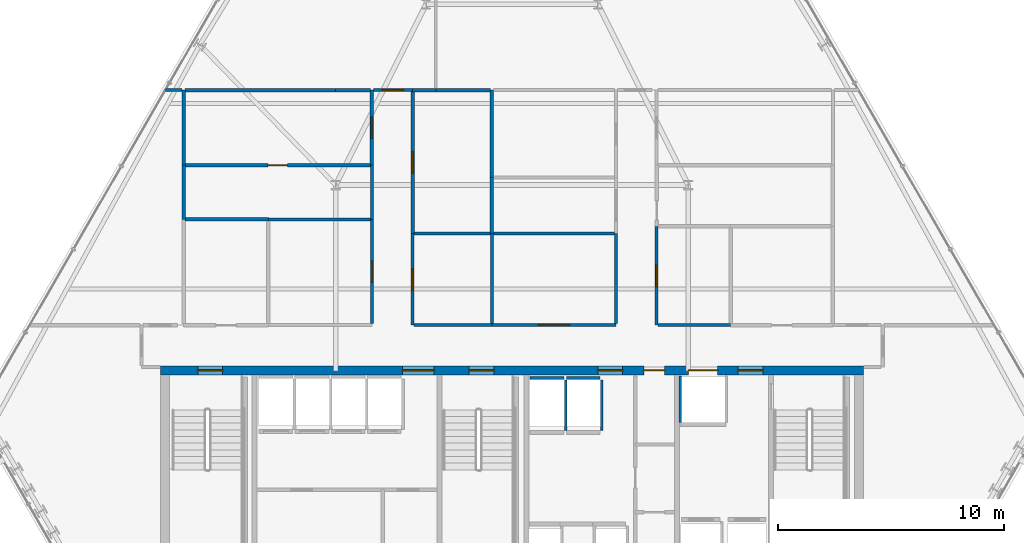
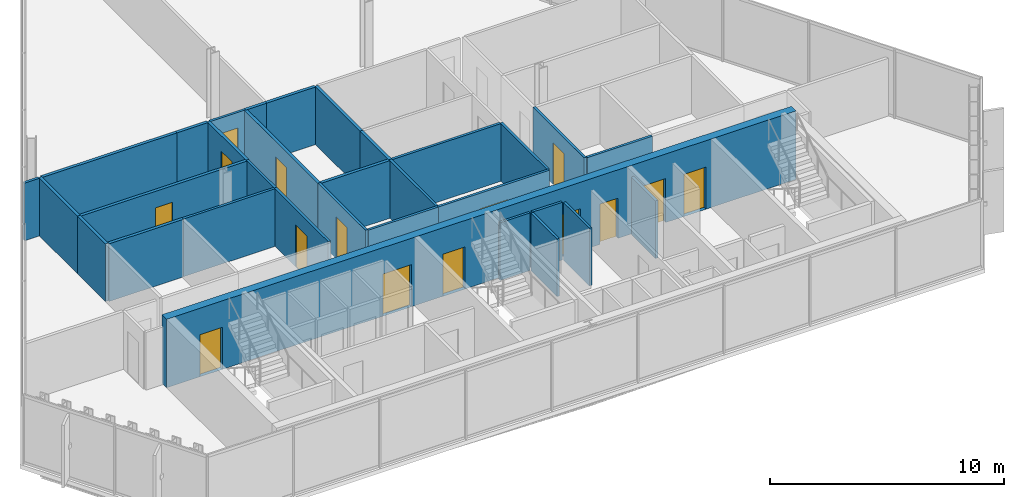
# One storey, part 28 of 34: 32 walls, 15 doors, 15 openings.
"""IFC4 building model written with IfcOpenShell, lengths in metres."""

import ifcopenshell
import ifcopenshell.guid

model = None  # the IFC model being written
_history = None  # IfcOwnerHistory: only IFC2X3 demands one
_inside = {}  # id of a spatial element -> (the spatial element, [elements in it])
_under = {}  # id of a project, library or spatial element -> (it, [spatial elements below it])
_declared = {}  # id of a project -> (the project, [libraries it declares])
_typed = {}  # id of a type object -> (the type object, [elements of that type])
_made_of = {}  # id of a material, layer set ... -> (it, [elements and type objects made of it])


def new_model(schema):
    """Start an empty IFC model of exactly this schema.

    Asked for "IFC4X3", IfcOpenShell would pick the latest addendum, in which some entities
    have other attributes; the version numbers below select the first issue.
    IFC2X3 requires an IfcOwnerHistory on every rooted entity: one is made here for all.
    """
    global model, _history
    if schema == "IFC4X3":
        model = ifcopenshell.file(schema_version=(4, 3, 0, 0))
    else:
        model = ifcopenshell.file(schema=schema)
    _inside.clear()
    _under.clear()
    _declared.clear()
    _typed.clear()
    _made_of.clear()
    _history = None
    if model.schema == "IFC2X3":
        org = make("IfcOrganization", Name="unknown")
        user = make(
            "IfcPersonAndOrganization",
            ThePerson=make("IfcPerson", FamilyName="unknown"),
            TheOrganization=org,
        )
        app = make(
            "IfcApplication",
            ApplicationDeveloper=org,
            Version="unknown",
            ApplicationFullName="unknown",
            ApplicationIdentifier="unknown",
        )
        _history = make(
            "IfcOwnerHistory",
            OwningUser=user,
            OwningApplication=app,
            ChangeAction="ADDED",
            CreationDate=0,
        )
    return model


def make(cls, **values):
    """One entity of the class cls with the attributes given. An attribute that is None is left unset."""
    return model.create_entity(
        cls, **{name: value for name, value in values.items() if value is not None}
    )


def rooted(cls, **values):
    """An entity with a GlobalId (a new one), such as an element, a storey or a relation."""
    return make(cls, GlobalId=ifcopenshell.guid.new(), OwnerHistory=_history, **values)


def si_unit(unit_type, name, prefix=None):
    """IfcSIUnit, for example si_unit("LENGTHUNIT", "METRE", prefix="MILLI")."""
    return make("IfcSIUnit", UnitType=unit_type, Prefix=prefix, Name=name)


def assignment(units):
    """IfcUnitAssignment: the units of a project."""
    return None if units is None else make("IfcUnitAssignment", Units=units)


def point(xyz):
    """IfcCartesianPoint."""
    return None if xyz is None else make("IfcCartesianPoint", Coordinates=xyz)


def direction(xyz):
    """IfcDirection."""
    return None if xyz is None else make("IfcDirection", DirectionRatios=xyz)


def frame(location, z_axis=None, x_axis=None):
    """IfcAxis2Placement3D, a coordinate frame: its origin and axes. An axis left out is left unset."""
    return make(
        "IfcAxis2Placement3D",
        Location=point(location),
        Axis=direction(z_axis),
        RefDirection=direction(x_axis),
    )


def frame_2d(location, x_axis=None):
    """IfcAxis2Placement2D, a coordinate frame in the plane: its origin and x axis."""
    return make(
        "IfcAxis2Placement2D", Location=point(location), RefDirection=direction(x_axis)
    )


def origin():
    """The frame at (0, 0, 0) with its axes left unset."""
    return frame((0.0, 0.0, 0.0))


def place(relative_to, where):
    """IfcLocalPlacement: puts the frame where relative to a parent placement (None: the world)."""
    return make(
        "IfcLocalPlacement", PlacementRelTo=relative_to, RelativePlacement=where
    )


def context(
    kind, dimensions, precision=None, world=None, true_north=None, identifier=None
):
    """IfcGeometricRepresentationContext, for example the 3D "Model" context."""
    return make(
        "IfcGeometricRepresentationContext",
        ContextIdentifier=identifier,
        ContextType=kind,
        CoordinateSpaceDimension=dimensions,
        Precision=precision,
        WorldCoordinateSystem=world,
        TrueNorth=true_north,
    )


def subcontext(parent, identifier, kind, view, scale=None):
    """IfcGeometricRepresentationSubContext, for example "Body" below "Model"."""
    return make(
        "IfcGeometricRepresentationSubContext",
        ContextIdentifier=identifier,
        ContextType=kind,
        ParentContext=parent,
        TargetScale=scale,
        TargetView=view,
    )


def project(units=None, contexts=None):
    """IfcProject with its units and contexts."""
    return rooted(
        "IfcProject",
        Name="project",
        RepresentationContexts=contexts,
        UnitsInContext=assignment(units),
    )


def spatial(cls, under=None, at=None, **own):
    """A site, building, storey or space (cls), placed at a placement, below another one or the project."""
    s = rooted(cls, ObjectPlacement=at, **own)
    if under is not None:
        _under.setdefault(under.id(), (under, []))[1].append(s)
    return s


def profile(cls, at=None, kind="AREA", **sizes):
    """A parametric profile (cls). Its sizes go by their IFC names, for example OverallWidth=200.0."""
    return make(cls, ProfileType=kind, Position=at, **sizes)


def rectangle(**sizes):
    """IfcRectangleProfileDef."""
    return profile("IfcRectangleProfileDef", **sizes)


def extrude(swept, where, along, depth):
    """IfcExtrudedAreaSolid: the profile swept, set in the frame where, extruded along a direction by depth."""
    return make(
        "IfcExtrudedAreaSolid",
        SweptArea=swept,
        Position=where,
        ExtrudedDirection=direction(along),
        Depth=depth,
    )


def shape(context_of_items, identifier, shape_type, items):
    """IfcShapeRepresentation: the items that make up one representation, for example the "Body"."""
    return make(
        "IfcShapeRepresentation",
        ContextOfItems=context_of_items,
        RepresentationIdentifier=identifier,
        RepresentationType=shape_type,
        Items=items,
    )


def material(Name=None, Category=None):
    """IfcMaterial."""
    return make("IfcMaterial", Name=Name, Category=Category)


def layer(
    of_material, thickness, ventilated=None, Name=None, Category=None, Priority=None
):
    """IfcMaterialLayer: one layer of a wall or slab, of a material (None: an air gap)."""
    return make(
        "IfcMaterialLayer",
        Material=of_material,
        LayerThickness=thickness,
        IsVentilated=ventilated,
        Name=Name,
        Category=Category,
        Priority=Priority,
    )


def layer_set(layers, Name=None):
    """IfcMaterialLayerSet."""
    return make("IfcMaterialLayerSet", MaterialLayers=layers, LayerSetName=Name)


def made_of(thing, what):
    """Note that an element or type object is made of a material, layer set ...; save() writes the relation."""
    if what is not None:
        _made_of.setdefault(what.id(), (what, []))[1].append(thing)
    return thing


def type_object(cls, material=None, **own):
    """A type object (cls), such as IfcWallType, which elements share."""
    return made_of(rooted(cls, **own), material)


def element(
    cls,
    number,
    at=None,
    inside=None,
    cuts=None,
    type_object=None,
    material=None,
    context=None,
    identifier="Body",
    shape_type=None,
    held_by="IfcProductDefinitionShape",
    body=None,
    shapes=None,
    **own,
):
    """One element of the class cls, such as IfcWall. Its Tag is "e" and its number.

    at: its placement. inside: the storey or other place that contains it. cuts: it is an
    opening in that element (IfcRelVoidsElement). A single representation is given by context,
    identifier, shape_type and body (its items); several are given by shapes. held_by: the class
    of the entity that holds the representations. save() writes the other relations.
    """
    e = rooted(cls, Tag="e%d" % number, ObjectPlacement=at, **own)
    if body is not None:
        shapes = [shape(context, identifier, shape_type, body)]
    if shapes is not None:
        e.Representation = make(held_by, Representations=shapes)
    if inside is not None:
        _inside.setdefault(inside.id(), (inside, []))[1].append(e)
    if cuts is not None:
        rooted(
            "IfcRelVoidsElement", RelatingBuildingElement=cuts, RelatedOpeningElement=e
        )
    if type_object is not None:
        _typed.setdefault(type_object.id(), (type_object, []))[1].append(e)
    return made_of(e, material)


def fill(opening, filler):
    """IfcRelFillsElement: the door or window that sits in an opening."""
    return rooted(
        "IfcRelFillsElement",
        RelatingOpeningElement=opening,
        RelatedBuildingElement=filler,
    )


def aggregate(whole, parts):
    """IfcRelAggregates: a whole, such as a stair, and the parts it consists of."""
    return rooted("IfcRelAggregates", RelatingObject=whole, RelatedObjects=parts)


def save(model, path):
    """Write the relations noted so far, then the file.

    IfcRelAggregates (storeys below a building ...), IfcRelContainedInSpatialStructure (elements
    in a storey), IfcRelDefinesByType, IfcRelAssociatesMaterial and IfcRelDeclares: one each for
    every whole, place, type object, material and project.
    """
    for whole, parts in _under.values():
        aggregate(whole, parts)
    for where, things in _inside.values():
        rooted(
            "IfcRelContainedInSpatialStructure",
            RelatedElements=things,
            RelatingStructure=where,
        )
    for kind, things in _typed.values():
        rooted("IfcRelDefinesByType", RelatedObjects=things, RelatingType=kind)
    for what, things in _made_of.values():
        rooted("IfcRelAssociatesMaterial", RelatedObjects=things, RelatingMaterial=what)
    for by, libraries in _declared.values():
        rooted("IfcRelDeclares", RelatingContext=by, RelatedDefinitions=libraries)
    model.write(path)


model = new_model("IFC4")

# Units and contexts
model_context = context("Model", 3, precision=1e-05, world=origin(), true_north=direction((0.0, 1.0)))
body_context = subcontext(model_context, "Body", "Model", "MODEL_VIEW")
ifc_project = project(units=[si_unit("LENGTHUNIT", "METRE"), si_unit("AREAUNIT", "SQUARE_METRE"), si_unit("VOLUMEUNIT", "CUBIC_METRE"), si_unit("PLANEANGLEUNIT", "RADIAN"), si_unit("MASSUNIT", "GRAM", prefix="KILO")], contexts=[model_context])

# Site, building, storey
site_placement = place(None, origin())
site = spatial("IfcSite", under=ifc_project, at=site_placement, CompositionType="ELEMENT")
building_placement = place(site_placement, origin())
building = spatial("IfcBuilding", under=site, at=building_placement, Name="Ndaravel Arena Tower", CompositionType="ELEMENT")
storey_placement = place(building_placement, frame((0.0, 0.0, 195.39990234375)))
storey = spatial("IfcBuildingStorey", under=building, at=storey_placement, Name="L47", CompositionType="ELEMENT", Elevation=195.39990234375)

# Wall, openings, doors
ifc_material_1 = material(Name="Concrete C50/60", Category="concrete")
ifc_layer_1 = layer(ifc_material_1, 0.39990234375)
ifc_layer_set_1 = layer_set([ifc_layer_1], Name="Concrete C50/60")
wall_type_1 = type_object("IfcWallType", Name="WALL-CORE-400", PredefinedType="SOLIDWALL", material=ifc_layer_set_1)
wall_1_placement = place(storey_placement, frame((26.449951171875, 15.0, 0.0), z_axis=(0.0, 0.0, 1.0), x_axis=(1.0, 0.0, 0.0)))
wall_1 = element("IfcWall", 1, at=wall_1_placement, inside=storey, type_object=wall_type_1, Name="L47 Core North Shear Wall", PredefinedType="SOLIDWALL", context=body_context, shape_type="SweptSolid", body=[
    extrude(rectangle(XDim=31.10009765625, YDim=0.39990234375, at=frame_2d((15.550048828125, 0.0))), origin(), (0.0, 0.0, 1.0), 3.580078125),
])
opening_1_placement = place(wall_1_placement, frame((1.64990234375, 0.0, 0.0)))
opening_1 = element("IfcOpeningElement", 2, at=opening_1_placement, cuts=wall_1, Name="Opening FD-01", PredefinedType="OPENING", context=body_context, shape_type="SweptSolid", body=[
    extrude(rectangle(XDim=1.10009765625, YDim=2.199951171875, at=frame_2d((0.550048828125, 1.10009765625))), frame((0.0, 0.199951171875, 0.0), z_axis=(0.0, -1.0, 0.0), x_axis=(1.0, 0.0, 0.0)), (0.0, 0.0, 1.0), 0.39990234375),
])
opening_2_placement = place(wall_1_placement, frame((13.64990234375, 0.0, 0.0)))
opening_2 = element("IfcOpeningElement", 3, at=opening_2_placement, cuts=wall_1, Name="Opening FD-01", PredefinedType="OPENING", context=body_context, shape_type="SweptSolid", body=[
    extrude(rectangle(XDim=1.10009765625, YDim=2.199951171875, at=frame_2d((0.550048828125, 1.10009765625))), frame((0.0, 0.199951171875, 0.0), z_axis=(0.0, -1.0, 0.0), x_axis=(1.0, 0.0, 0.0)), (0.0, 0.0, 1.0), 0.39990234375),
])
opening_3_placement = place(wall_1_placement, frame((25.550048828125, 0.0, 0.0)))
opening_3 = element("IfcOpeningElement", 4, at=opening_3_placement, cuts=wall_1, Name="Opening FD-01", PredefinedType="OPENING", context=body_context, shape_type="SweptSolid", body=[
    extrude(rectangle(XDim=1.10009765625, YDim=2.199951171875, at=frame_2d((0.550048828125, 1.10009765625))), frame((0.0, 0.199951171875, 0.0), z_axis=(0.0, -1.0, 0.0), x_axis=(1.0, 0.0, 0.0)), (0.0, 0.0, 1.0), 0.39990234375),
])
opening_4_placement = place(wall_1_placement, frame((10.699951171875, 0.0, 0.0)))
opening_4 = element("IfcOpeningElement", 5, at=opening_4_placement, cuts=wall_1, Name="Opening ID-02", PredefinedType="OPENING", context=body_context, shape_type="SweptSolid", body=[
    extrude(rectangle(XDim=1.39990234375, YDim=2.199951171875, at=frame_2d((0.699951171875, 1.10009765625))), frame((0.0, 0.199951171875, 0.0), z_axis=(0.0, -1.0, 0.0), x_axis=(1.0, 0.0, 0.0)), (0.0, 0.0, 1.0), 0.39990234375),
])
opening_5_placement = place(wall_1_placement, frame((19.35009765625, 0.0, 0.0)))
opening_5 = element("IfcOpeningElement", 6, at=opening_5_placement, cuts=wall_1, Name="Opening FD-01", PredefinedType="OPENING", context=body_context, shape_type="SweptSolid", body=[
    extrude(rectangle(XDim=1.10009765625, YDim=2.199951171875, at=frame_2d((0.550048828125, 1.10009765625))), frame((0.0, 0.199951171875, 0.0), z_axis=(0.0, -1.0, 0.0), x_axis=(1.0, 0.0, 0.0)), (0.0, 0.0, 1.0), 0.39990234375),
])
opening_6_placement = place(wall_1_placement, frame((21.39990234375, 0.0, 0.0)))
opening_6 = element("IfcOpeningElement", 7, at=opening_6_placement, cuts=wall_1, Name="Opening RD-01", PredefinedType="OPENING", context=body_context, shape_type="SweptSolid", body=[
    extrude(rectangle(XDim=0.89990234375, YDim=2.10009765625, at=frame_2d((0.449951171875, 1.050048828125))), frame((0.0, 0.199951171875, 0.0), z_axis=(0.0, -1.0, 0.0), x_axis=(1.0, 0.0, 0.0)), (0.0, 0.0, 1.0), 0.39990234375),
])
opening_7_placement = place(wall_1_placement, frame((23.35009765625, 0.0, 0.0)))
opening_7 = element("IfcOpeningElement", 8, at=opening_7_placement, cuts=wall_1, Name="Opening LD-02", PredefinedType="OPENING", context=body_context, shape_type="SweptSolid", body=[
    extrude(rectangle(XDim=1.300048828125, YDim=2.300048828125, at=frame_2d((0.64990234375, 1.14990234375))), frame((0.0, 0.199951171875, 0.0), z_axis=(0.0, -1.0, 0.0), x_axis=(1.0, 0.0, 0.0)), (0.0, 0.0, 1.0), 0.39990234375),
])
ifc_material_2 = material(Name="Steel S355", Category="steel")
door_type_1 = type_object("IfcDoorType", Name="DT-01-STAIR-1100", OperationType="SINGLE_SWING_LEFT", PredefinedType="DOOR", material=ifc_material_2)
door_1_placement = place(opening_1_placement, origin())
door_1 = element("IfcDoor", 9, at=door_1_placement, inside=storey, type_object=door_type_1, Name="L47 Exit Stair ST-1 Door", OperationType="SINGLE_SWING_RIGHT", OverallHeight=2.199951171875, OverallWidth=1.10009765625, PredefinedType="DOOR", context=body_context, shape_type="SweptSolid", body=[
    extrude(rectangle(XDim=1.10009765625, YDim=2.199951171875, at=frame_2d((0.550048828125, 1.10009765625))), frame((0.0, 0.02490234375, 0.0), z_axis=(0.0, -1.0, 0.0), x_axis=(1.0, 0.0, 0.0)), (0.0, 0.0, 1.0), 0.050048828125),
])
fill(opening_1, door_1)
door_2_placement = place(opening_2_placement, origin())
door_2 = element("IfcDoor", 10, at=door_2_placement, inside=storey, type_object=door_type_1, Name="L47 Exit Stair ST-2 Door", OperationType="SINGLE_SWING_LEFT", OverallHeight=2.199951171875, OverallWidth=1.10009765625, PredefinedType="DOOR", context=body_context, shape_type="SweptSolid", body=[
    extrude(rectangle(XDim=1.10009765625, YDim=2.199951171875, at=frame_2d((0.550048828125, 1.10009765625))), frame((0.0, 0.02490234375, 0.0), z_axis=(0.0, -1.0, 0.0), x_axis=(1.0, 0.0, 0.0)), (0.0, 0.0, 1.0), 0.050048828125),
])
fill(opening_2, door_2)
door_3_placement = place(opening_3_placement, origin())
door_3 = element("IfcDoor", 11, at=door_3_placement, inside=storey, type_object=door_type_1, Name="L47 Firefighting Lift Lobby Door", OperationType="SINGLE_SWING_RIGHT", OverallHeight=2.199951171875, OverallWidth=1.10009765625, PredefinedType="DOOR", context=body_context, shape_type="SweptSolid", body=[
    extrude(rectangle(XDim=1.10009765625, YDim=2.199951171875, at=frame_2d((0.550048828125, 1.10009765625))), frame((0.0, 0.02490234375, 0.0), z_axis=(0.0, -1.0, 0.0), x_axis=(1.0, 0.0, 0.0)), (0.0, 0.0, 1.0), 0.050048828125),
])
fill(opening_3, door_3)
door_4_placement = place(opening_5_placement, origin())
door_4 = element("IfcDoor", 12, at=door_4_placement, inside=storey, type_object=door_type_1, Name="L47 Express Lift Lobby Entry Door", OperationType="SINGLE_SWING_LEFT", OverallHeight=2.199951171875, OverallWidth=1.10009765625, PredefinedType="DOOR", context=body_context, shape_type="SweptSolid", body=[
    extrude(rectangle(XDim=1.10009765625, YDim=2.199951171875, at=frame_2d((0.550048828125, 1.10009765625))), frame((0.0, 0.02490234375, 0.0), z_axis=(0.0, -1.0, 0.0), x_axis=(1.0, 0.0, 0.0)), (0.0, 0.0, 1.0), 0.050048828125),
])
fill(opening_5, door_4)
ifc_material_3 = material(Name="Timber", Category="wood")
door_type_2 = type_object("IfcDoorType", Name="DT-04-SUITE-1400", OperationType="DOUBLE_DOOR_SINGLE_SWING", PredefinedType="DOOR", material=ifc_material_3)
door_5_placement = place(opening_4_placement, origin())
door_5 = element("IfcDoor", 13, at=door_5_placement, inside=storey, type_object=door_type_2, Name="L47 West Lift Lobby Entry Door", OperationType="DOUBLE_DOOR_SINGLE_SWING", OverallHeight=2.199951171875, OverallWidth=1.39990234375, PredefinedType="DOOR", context=body_context, shape_type="SweptSolid", body=[
    extrude(rectangle(XDim=1.39990234375, YDim=2.199951171875, at=frame_2d((0.699951171875, 1.10009765625))), frame((0.0, 0.02490234375, 0.0), z_axis=(0.0, -1.0, 0.0), x_axis=(1.0, 0.0, 0.0)), (0.0, 0.0, 1.0), 0.050048828125),
])
fill(opening_4, door_5)
ifc_material_4 = material(Name="Steel S355", Category="steel")
door_type_3 = type_object("IfcDoorType", Name="DT-07-SVLIFT-1300", OperationType="DOUBLE_DOOR_SLIDING", PredefinedType="DOOR", material=ifc_material_4)
door_6_placement = place(opening_7_placement, origin())
door_6 = element("IfcDoor", 14, at=door_6_placement, inside=storey, type_object=door_type_3, Name="L47 Lift SVL-1 Sliding Landing Door", OperationType="DOUBLE_DOOR_SLIDING", OverallHeight=2.300048828125, OverallWidth=1.300048828125, PredefinedType="DOOR", context=body_context, shape_type="SweptSolid", body=[
    extrude(rectangle(XDim=1.300048828125, YDim=2.300048828125, at=frame_2d((0.64990234375, 1.14990234375))), frame((0.0, 0.02490234375, 0.0), z_axis=(0.0, -1.0, 0.0), x_axis=(1.0, 0.0, 0.0)), (0.0, 0.0, 1.0), 0.050048828125),
])
fill(opening_7, door_6)
ifc_material_5 = material(Name="Steel S355", Category="steel")
door_type_4 = type_object("IfcDoorType", Name="DT-08-RISER-900", OperationType="SINGLE_SWING_LEFT", PredefinedType="DOOR", material=ifc_material_5)
door_7_placement = place(opening_6_placement, origin())
door_7 = element("IfcDoor", 15, at=door_7_placement, inside=storey, type_object=door_type_4, Name="L47 Core Service Riser North Door", OperationType="SINGLE_SWING_LEFT", OverallHeight=2.10009765625, OverallWidth=0.89990234375, PredefinedType="DOOR", context=body_context, shape_type="SweptSolid", body=[
    extrude(rectangle(XDim=0.89990234375, YDim=2.10009765625, at=frame_2d((0.449951171875, 1.050048828125))), frame((0.0, 0.02490234375, 0.0), z_axis=(0.0, -1.0, 0.0), x_axis=(1.0, 0.0, 0.0)), (0.0, 0.0, 1.0), 0.050048828125),
])
fill(opening_6, door_7)

# Wall, opening, door
ifc_material_6 = material(Name="Gypsum", Category="gypsum")
ifc_layer_2 = layer(ifc_material_6, 0.125)
ifc_layer_set_2 = layer_set([ifc_layer_2], Name="Gypsum")
wall_type_2 = type_object("IfcWallType", Name="WALL-PART-125", PredefinedType="PARTITIONING", material=ifc_layer_set_2)
wall_2_placement = place(storey_placement, frame((35.800048828125, 17.06494140625, 0.0), z_axis=(0.0, 0.0, 1.0), x_axis=(0.0, 1.0, 0.0)))
wall_2 = element("IfcWall", 16, at=wall_2_placement, inside=storey, type_object=wall_type_2, Name="L47 Interior Partition 008", PredefinedType="PARTITIONING", context=body_context, shape_type="SweptSolid", body=[
    extrude(rectangle(XDim=4.614990234375, YDim=0.125, at=frame_2d((2.3076171875, 0.0))), origin(), (0.0, 0.0, 1.0), 3.010498046875),
])
opening_8_placement = place(wall_2_placement, frame((1.83251953125, 0.0, 0.0)))
opening_8 = element("IfcOpeningElement", 17, at=opening_8_placement, cuts=wall_2, Name="Opening ID-01", PredefinedType="OPENING", context=body_context, shape_type="SweptSolid", body=[
    extrude(rectangle(XDim=0.949951171875, YDim=2.199951171875, at=frame_2d((0.47509765625, 1.10009765625))), frame((0.0, 0.0625, 0.0), z_axis=(0.0, -1.0, 0.0), x_axis=(1.0, 0.0, 0.0)), (0.0, 0.0, 1.0), 0.125),
])
ifc_material_7 = material(Name="Timber", Category="wood")
door_type_5 = type_object("IfcDoorType", Name="DT-03-OFFICE-950", OperationType="SINGLE_SWING_LEFT", PredefinedType="DOOR", material=ifc_material_7)
door_8_placement = place(opening_8_placement, origin())
door_8 = element("IfcDoor", 18, at=door_8_placement, inside=storey, type_object=door_type_5, Name="L47 Quiet Study Room 3 Door", OperationType="SINGLE_SWING_LEFT", OverallHeight=2.199951171875, OverallWidth=0.949951171875, PredefinedType="DOOR", context=body_context, shape_type="SweptSolid", body=[
    extrude(rectangle(XDim=0.949951171875, YDim=2.199951171875, at=frame_2d((0.47509765625, 1.10009765625))), frame((0.0, 0.02490234375, 0.0), z_axis=(0.0, -1.0, 0.0), x_axis=(1.0, 0.0, 0.0)), (0.0, 0.0, 1.0), 0.050048828125),
])
fill(opening_8, door_8)

# Wall
wall_3_placement = place(storey_placement, frame((35.800048828125, 21.679931640625, 0.0), z_axis=(0.0, 0.0, 1.0), x_axis=(0.0, 1.0, 0.0)))
element("IfcWall", 19, at=wall_3_placement, inside=storey, type_object=wall_type_2, Name="L47 Interior Partition 009", PredefinedType="PARTITIONING", context=body_context, shape_type="SweptSolid", body=[
    extrude(rectangle(XDim=2.402587890625, YDim=0.125, at=frame_2d((1.201171875, 0.0))), origin(), (0.0, 0.0, 1.0), 3.010498046875),
])

# Wall, opening, door
wall_4_placement = place(storey_placement, frame((35.864990234375, 27.39990234375, 0.0), z_axis=(0.0, 0.0, 1.0), x_axis=(1.0, 0.0, 0.0)))
wall_4 = element("IfcWall", 20, at=wall_4_placement, inside=storey, type_object=wall_type_2, Name="L47 Interior Partition 011", PredefinedType="PARTITIONING", context=body_context, shape_type="SweptSolid", body=[
    extrude(rectangle(XDim=1.735107421875, YDim=0.125, at=frame_2d((0.86767578125, 0.0))), origin(), (0.0, 0.0, 1.0), 3.010498046875),
])
opening_9_placement = place(wall_4_placement, frame((0.392578125, 0.0, 0.0)))
opening_9 = element("IfcOpeningElement", 21, at=opening_9_placement, cuts=wall_4, Name="Opening ID-01", PredefinedType="OPENING", context=body_context, shape_type="SweptSolid", body=[
    extrude(rectangle(XDim=0.949951171875, YDim=2.199951171875, at=frame_2d((0.47509765625, 1.10009765625))), frame((0.0, 0.0625, 0.0), z_axis=(0.0, -1.0, 0.0), x_axis=(1.0, 0.0, 0.0)), (0.0, 0.0, 1.0), 0.125),
])
door_9_placement = place(opening_9_placement, origin())
door_9 = element("IfcDoor", 22, at=door_9_placement, inside=storey, type_object=door_type_5, Name="L47 Barista Galley 7 Door", OperationType="SINGLE_SWING_LEFT", OverallHeight=2.199951171875, OverallWidth=0.949951171875, PredefinedType="DOOR", context=body_context, shape_type="SweptSolid", body=[
    extrude(rectangle(XDim=0.949951171875, YDim=2.199951171875, at=frame_2d((0.47509765625, 1.10009765625))), frame((0.0, 0.02490234375, 0.0), z_axis=(0.0, -1.0, 0.0), x_axis=(1.0, 0.0, 0.0)), (0.0, 0.0, 1.0), 0.050048828125),
])
fill(opening_9, door_9)

wall_5_placement = place(storey_placement, frame((37.60009765625, 21.055908203125, 0.0), z_axis=(0.0, 0.0, 1.0), x_axis=(0.0, -1.0, 0.0)))
wall_5 = element("IfcWall", 23, at=wall_5_placement, inside=storey, type_object=wall_type_2, Name="L47 Interior Partition 013", PredefinedType="PARTITIONING", context=body_context, shape_type="SweptSolid", body=[
    extrude(rectangle(XDim=4.055908203125, YDim=0.125, at=frame_2d((2.02783203125, 0.0))), origin(), (0.0, 0.0, 1.0), 3.010498046875),
])
opening_10_placement = place(wall_5_placement, frame((1.552978515625, 0.0, 0.0)))
opening_10 = element("IfcOpeningElement", 24, at=opening_10_placement, cuts=wall_5, Name="Opening ID-01", PredefinedType="OPENING", context=body_context, shape_type="SweptSolid", body=[
    extrude(rectangle(XDim=0.949951171875, YDim=2.199951171875, at=frame_2d((0.47509765625, 1.10009765625))), frame((0.0, 0.0625, 0.0), z_axis=(0.0, -1.0, 0.0), x_axis=(1.0, 0.0, 0.0)), (0.0, 0.0, 1.0), 0.125),
])
door_10_placement = place(opening_10_placement, origin())
door_10 = element("IfcDoor", 25, at=door_10_placement, inside=storey, type_object=door_type_5, Name="L47 Design Bookshop Boutique Door", OperationType="SINGLE_SWING_RIGHT", OverallHeight=2.199951171875, OverallWidth=0.949951171875, PredefinedType="DOOR", context=body_context, shape_type="SweptSolid", body=[
    extrude(rectangle(XDim=0.949951171875, YDim=2.199951171875, at=frame_2d((0.47509765625, 1.10009765625))), frame((0.0, 0.02490234375, 0.0), z_axis=(0.0, -1.0, 0.0), x_axis=(1.0, 0.0, 0.0)), (0.0, 0.0, 1.0), 0.050048828125),
])
fill(opening_10, door_10)

# Wall
wall_6_placement = place(storey_placement, frame((37.6650390625, 17.0, 0.0), z_axis=(0.0, 0.0, 1.0), x_axis=(1.0, 0.0, 0.0)))
element("IfcWall", 26, at=wall_6_placement, inside=storey, type_object=wall_type_2, Name="L47 Interior Partition 014", PredefinedType="PARTITIONING", context=body_context, shape_type="SweptSolid", body=[
    extrude(rectangle(XDim=3.445068359375, YDim=0.125, at=frame_2d((1.72265625, 0.0))), origin(), (0.0, 0.0, 1.0), 3.010498046875),
])

# Wall, opening, door
wall_7_placement = place(storey_placement, frame((41.110107421875, 17.0, 0.0), z_axis=(0.0, 0.0, 1.0), x_axis=(1.0, 0.0, 0.0)))
wall_7 = element("IfcWall", 27, at=wall_7_placement, inside=storey, type_object=wall_type_2, Name="L47 Interior Partition 015", PredefinedType="PARTITIONING", context=body_context, shape_type="SweptSolid", body=[
    extrude(rectangle(XDim=5.489990234375, YDim=0.125, at=frame_2d((2.7451171875, 0.0))), origin(), (0.0, 0.0, 1.0), 3.010498046875),
])
opening_11_placement = place(wall_7_placement, frame((2.044921875, 0.0, 0.0)))
opening_11 = element("IfcOpeningElement", 28, at=opening_11_placement, cuts=wall_7, Name="Opening ID-02", PredefinedType="OPENING", context=body_context, shape_type="SweptSolid", body=[
    extrude(rectangle(XDim=1.39990234375, YDim=2.199951171875, at=frame_2d((0.699951171875, 1.10009765625))), frame((0.0, 0.0625, 0.0), z_axis=(0.0, -1.0, 0.0), x_axis=(1.0, 0.0, 0.0)), (0.0, 0.0, 1.0), 0.125),
])
door_11_placement = place(opening_11_placement, origin())
door_11 = element("IfcDoor", 29, at=door_11_placement, inside=storey, type_object=door_type_2, Name="L47 Executive Boardroom Door", OperationType="SINGLE_SWING_LEFT", OverallHeight=2.199951171875, OverallWidth=1.39990234375, PredefinedType="DOOR", context=body_context, shape_type="SweptSolid", body=[
    extrude(rectangle(XDim=1.39990234375, YDim=2.199951171875, at=frame_2d((0.699951171875, 1.10009765625))), frame((0.0, 0.02490234375, 0.0), z_axis=(0.0, -1.0, 0.0), x_axis=(1.0, 0.0, 0.0)), (0.0, 0.0, 1.0), 0.050048828125),
])
fill(opening_11, door_11)

# Wall
wall_8_placement = place(storey_placement, frame((46.60009765625, 17.06494140625, 0.0), z_axis=(0.0, 0.0, 1.0), x_axis=(0.0, 1.0, 0.0)))
element("IfcWall", 30, at=wall_8_placement, inside=storey, type_object=wall_type_2, Name="L47 Interior Partition 016", PredefinedType="PARTITIONING", context=body_context, shape_type="SweptSolid", body=[
    extrude(rectangle(XDim=3.990966796875, YDim=0.125, at=frame_2d((1.99560546875, 0.0))), origin(), (0.0, 0.0, 1.0), 3.010498046875),
])

# Wall, opening, door
wall_9_placement = place(storey_placement, frame((48.39990234375, 21.367919921875, 0.0), z_axis=(0.0, 0.0, 1.0), x_axis=(0.0, -1.0, 0.0)))
wall_9 = element("IfcWall", 31, at=wall_9_placement, inside=storey, type_object=wall_type_2, Name="L47 Interior Partition 022", PredefinedType="PARTITIONING", context=body_context, shape_type="SweptSolid", body=[
    extrude(rectangle(XDim=4.367919921875, YDim=0.125, at=frame_2d((2.18408203125, 0.0))), origin(), (0.0, 0.0, 1.0), 3.010498046875),
])
opening_12_placement = place(wall_9_placement, frame((1.708984375, 0.0, 0.0)))
opening_12 = element("IfcOpeningElement", 32, at=opening_12_placement, cuts=wall_9, Name="Opening ID-01", PredefinedType="OPENING", context=body_context, shape_type="SweptSolid", body=[
    extrude(rectangle(XDim=0.949951171875, YDim=2.199951171875, at=frame_2d((0.47509765625, 1.10009765625))), frame((0.0, 0.0625, 0.0), z_axis=(0.0, -1.0, 0.0), x_axis=(1.0, 0.0, 0.0)), (0.0, 0.0, 1.0), 0.125),
])
door_12_placement = place(opening_12_placement, origin())
door_12 = element("IfcDoor", 33, at=door_12_placement, inside=storey, type_object=door_type_5, Name="L47 Hospitality Sitting Room 2 Door", OperationType="SINGLE_SWING_RIGHT", OverallHeight=2.199951171875, OverallWidth=0.949951171875, PredefinedType="DOOR", context=body_context, shape_type="SweptSolid", body=[
    extrude(rectangle(XDim=0.949951171875, YDim=2.199951171875, at=frame_2d((0.47509765625, 1.10009765625))), frame((0.0, 0.02490234375, 0.0), z_axis=(0.0, -1.0, 0.0), x_axis=(1.0, 0.0, 0.0)), (0.0, 0.0, 1.0), 0.050048828125),
])
fill(opening_12, door_12)

# Walls
wall_10_placement = place(storey_placement, frame((48.465087890625, 17.0, 0.0), z_axis=(0.0, 0.0, 1.0), x_axis=(1.0, 0.0, 0.0)))
element("IfcWall", 34, at=wall_10_placement, inside=storey, type_object=wall_type_2, Name="L47 Interior Partition 023", PredefinedType="PARTITIONING", context=body_context, shape_type="SweptSolid", body=[
    extrude(rectangle(XDim=3.2109375, YDim=0.125, at=frame_2d((1.60546875, 0.0))), origin(), (0.0, 0.0, 1.0), 3.010498046875),
])
wall_11_placement = place(storey_placement, frame((41.110107421875, 21.055908203125, 0.0), z_axis=(0.0, 0.0, 1.0), x_axis=(0.0, -1.0, 0.0)))
element("IfcWall", 35, at=wall_11_placement, inside=storey, type_object=wall_type_2, Name="L47 Interior Partition 028", PredefinedType="PARTITIONING", context=body_context, shape_type="SweptSolid", body=[
    extrude(rectangle(XDim=3.990966796875, YDim=0.125, at=frame_2d((1.99560546875, 0.0))), origin(), (0.0, 0.0, 1.0), 3.010498046875),
])
wall_12_placement = place(storey_placement, frame((41.175048828125, 21.055908203125, 0.0), z_axis=(0.0, 0.0, 1.0), x_axis=(1.0, 0.0, 0.0)))
element("IfcWall", 36, at=wall_12_placement, inside=storey, type_object=wall_type_2, Name="L47 Interior Partition 030", PredefinedType="PARTITIONING", context=body_context, shape_type="SweptSolid", body=[
    extrude(rectangle(XDim=5.35986328125, YDim=0.125, at=frame_2d((2.679931640625, 0.0))), origin(), (0.0, 0.0, 1.0), 3.010498046875),
])
wall_13_placement = place(storey_placement, frame((31.220458984375, 21.679931640625, 0.0), z_axis=(0.0, 0.0, 1.0), x_axis=(1.0, 0.0, 0.0)))
element("IfcWall", 37, at=wall_13_placement, inside=storey, type_object=wall_type_2, Name="L47 Interior Partition 038", PredefinedType="PARTITIONING", context=body_context, shape_type="SweptSolid", body=[
    extrude(rectangle(XDim=4.5146484375, YDim=0.125, at=frame_2d((2.25732421875, 0.0))), origin(), (0.0, 0.0, 1.0), 3.010498046875),
])
wall_14_placement = place(storey_placement, frame((27.40869140625, 27.39990234375, 0.0), z_axis=(0.0, 0.0, 1.0), x_axis=(-1.0, 0.0, 0.0)))
element("IfcWall", 38, at=wall_14_placement, inside=storey, type_object=wall_type_2, Name="L47 Interior Partition 055", PredefinedType="PARTITIONING", context=body_context, shape_type="SweptSolid", body=[
    extrude(rectangle(XDim=0.7431640625, YDim=0.125, at=frame_2d((0.37158203125, 0.0))), origin(), (0.0, 0.0, 1.0), 3.010498046875),
])
ifc_material_8 = material(Name="Concrete C40/50", Category="concrete")
ifc_layer_3 = layer(ifc_material_8, 0.1201171875)
ifc_layer_set_3 = layer_set([ifc_layer_3], Name="Concrete C40/50")
wall_type_3 = type_object("IfcWallType", Name="WALL-SHAFT-120", PredefinedType="SOLIDWALL", material=ifc_layer_set_3)
wall_15_placement = place(storey_placement, frame((42.804931640625, 14.659912109375, 0.0), z_axis=(0.0, 0.0, 1.0), x_axis=(1.0, 0.0, 0.0)))
element("IfcWall", 39, at=wall_15_placement, inside=storey, type_object=wall_type_3, Name="L47 PL-OBS1 Shaft Rear Wall", PredefinedType="SOLIDWALL", context=body_context, shape_type="SweptSolid", body=[
    extrude(rectangle(XDim=1.489990234375, YDim=0.1201171875, at=frame_2d((0.7451171875, 0.0))), origin(), (0.0, 0.0, 1.0), 3.010498046875),
])
wall_16_placement = place(storey_placement, frame((44.375, 12.340087890625, 0.0), z_axis=(0.0, 0.0, 1.0), x_axis=(0.0, 1.0, 0.0)))
element("IfcWall", 40, at=wall_16_placement, inside=storey, type_object=wall_type_3, Name="L47 PL-OBS1 Shaft Side R Wall", PredefinedType="SOLIDWALL", context=body_context, shape_type="SweptSolid", body=[
    extrude(rectangle(XDim=2.22998046875, YDim=0.1201171875, at=frame_2d((1.114990234375, 0.0))), origin(), (0.0, 0.0, 1.0), 3.010498046875),
])
wall_17_placement = place(storey_placement, frame((44.405029296875, 14.659912109375, 0.0), z_axis=(0.0, 0.0, 1.0), x_axis=(1.0, 0.0, 0.0)))
element("IfcWall", 41, at=wall_17_placement, inside=storey, type_object=wall_type_3, Name="L47 PL-OBS2 Shaft Rear Wall", PredefinedType="SOLIDWALL", context=body_context, shape_type="SweptSolid", body=[
    extrude(rectangle(XDim=1.489990234375, YDim=0.1201171875, at=frame_2d((0.7451171875, 0.0))), origin(), (0.0, 0.0, 1.0), 3.010498046875),
])
wall_18_placement = place(storey_placement, frame((45.97509765625, 12.340087890625, 0.0), z_axis=(0.0, 0.0, 1.0), x_axis=(0.0, 1.0, 0.0)))
element("IfcWall", 42, at=wall_18_placement, inside=storey, type_object=wall_type_3, Name="L47 PL-OBS2 Shaft Side R Wall", PredefinedType="SOLIDWALL", context=body_context, shape_type="SweptSolid", body=[
    extrude(rectangle(XDim=2.22998046875, YDim=0.1201171875, at=frame_2d((1.114990234375, 0.0))), origin(), (0.0, 0.0, 1.0), 3.010498046875),
])
wall_19_placement = place(storey_placement, frame((49.43994140625, 12.68994140625, 0.0), z_axis=(0.0, 0.0, 1.0), x_axis=(0.0, 1.0, 0.0)))
element("IfcWall", 43, at=wall_19_placement, inside=storey, type_object=wall_type_3, Name="L47 SVL-1 Shaft W Wall", PredefinedType="SOLIDWALL", context=body_context, shape_type="SweptSolid", body=[
    extrude(rectangle(XDim=2.070068359375, YDim=0.1201171875, at=frame_2d((1.03515625, 0.0))), origin(), (0.0, 0.0, 1.0), 3.010498046875),
])

# Wall, opening, door
ifc_material_9 = material(Name="Masonry", Category="masonry")
ifc_layer_4 = layer(ifc_material_9, 0.14990234375)
ifc_layer_set_4 = layer_set([ifc_layer_4], Name="Masonry")
wall_type_4 = type_object("IfcWallType", Name="WALL-WET-150", PredefinedType="PARTITIONING", material=ifc_layer_set_4)
wall_20_placement = place(storey_placement, frame((35.800048828125, 24.08251953125, 0.0), z_axis=(0.0, 0.0, 1.0), x_axis=(0.0, 1.0, 0.0)))
wall_20 = element("IfcWall", 44, at=wall_20_placement, inside=storey, type_object=wall_type_4, Name="L47 Interior Partition 010", PredefinedType="PARTITIONING", context=body_context, shape_type="SweptSolid", body=[
    extrude(rectangle(XDim=3.3173828125, YDim=0.14990234375, at=frame_2d((1.65869140625, 0.0))), origin(), (0.0, 0.0, 1.0), 3.010498046875),
])
opening_13_placement = place(wall_20_placement, frame((1.183837890625, 0.0, 0.0)))
opening_13 = element("IfcOpeningElement", 45, at=opening_13_placement, cuts=wall_20, Name="Opening FD-03", PredefinedType="OPENING", context=body_context, shape_type="SweptSolid", body=[
    extrude(rectangle(XDim=0.949951171875, YDim=2.199951171875, at=frame_2d((0.47509765625, 1.10009765625))), frame((0.0, 0.074951171875, 0.0), z_axis=(0.0, -1.0, 0.0), x_axis=(1.0, 0.0, 0.0)), (0.0, 0.0, 1.0), 0.14990234375),
])
ifc_material_10 = material(Name="Steel S355", Category="steel")
door_type_6 = type_object("IfcDoorType", Name="DT-11-CORE-950", OperationType="SINGLE_SWING_LEFT", PredefinedType="DOOR", material=ifc_material_10)
door_13_placement = place(opening_13_placement, origin())
door_13 = element("IfcDoor", 46, at=door_13_placement, inside=storey, type_object=door_type_6, Name="L47 Catering Pantry 6 Door", OperationType="SINGLE_SWING_LEFT", OverallHeight=2.199951171875, OverallWidth=0.949951171875, PredefinedType="DOOR", context=body_context, shape_type="SweptSolid", body=[
    extrude(rectangle(XDim=0.949951171875, YDim=2.199951171875, at=frame_2d((0.47509765625, 1.10009765625))), frame((0.0, 0.02490234375, 0.0), z_axis=(0.0, -1.0, 0.0), x_axis=(1.0, 0.0, 0.0)), (0.0, 0.0, 1.0), 0.050048828125),
])
fill(opening_13, door_13)

wall_21_placement = place(storey_placement, frame((37.60009765625, 27.3349609375, 0.0), z_axis=(0.0, 0.0, 1.0), x_axis=(0.0, -1.0, 0.0)))
wall_21 = element("IfcWall", 47, at=wall_21_placement, inside=storey, type_object=wall_type_4, Name="L47 Interior Partition 012", PredefinedType="PARTITIONING", context=body_context, shape_type="SweptSolid", body=[
    extrude(rectangle(XDim=6.279052734375, YDim=0.14990234375, at=frame_2d((3.1396484375, 0.0))), origin(), (0.0, 0.0, 1.0), 3.010498046875),
])
opening_14_placement = place(wall_21_placement, frame((2.66455078125, 0.0, 0.0)))
opening_14 = element("IfcOpeningElement", 48, at=opening_14_placement, cuts=wall_21, Name="Opening FD-03", PredefinedType="OPENING", context=body_context, shape_type="SweptSolid", body=[
    extrude(rectangle(XDim=0.949951171875, YDim=2.199951171875, at=frame_2d((0.47509765625, 1.10009765625))), frame((0.0, 0.074951171875, 0.0), z_axis=(0.0, -1.0, 0.0), x_axis=(1.0, 0.0, 0.0)), (0.0, 0.0, 1.0), 0.14990234375),
])
door_14_placement = place(opening_14_placement, origin())
door_14 = element("IfcDoor", 49, at=door_14_placement, inside=storey, type_object=door_type_6, Name="L47 Staff Espresso Kitchen 5 Door", OperationType="SINGLE_SWING_LEFT", OverallHeight=2.199951171875, OverallWidth=0.949951171875, PredefinedType="DOOR", context=body_context, shape_type="SweptSolid", body=[
    extrude(rectangle(XDim=0.949951171875, YDim=2.199951171875, at=frame_2d((0.47509765625, 1.10009765625))), frame((0.0, 0.02490234375, 0.0), z_axis=(0.0, -1.0, 0.0), x_axis=(1.0, 0.0, 0.0)), (0.0, 0.0, 1.0), 0.050048828125),
])
fill(opening_14, door_14)

# Walls
wall_22_placement = place(storey_placement, frame((37.6650390625, 21.055908203125, 0.0), z_axis=(0.0, 0.0, 1.0), x_axis=(1.0, 0.0, 0.0)))
element("IfcWall", 50, at=wall_22_placement, inside=storey, type_object=wall_type_4, Name="L47 Interior Partition 029", PredefinedType="PARTITIONING", context=body_context, shape_type="SweptSolid", body=[
    extrude(rectangle(XDim=3.3798828125, YDim=0.14990234375, at=frame_2d((1.68994140625, 0.0))), origin(), (0.0, 0.0, 1.0), 3.010498046875),
])
wall_23_placement = place(storey_placement, frame((27.53857421875, 21.679931640625, 0.0), z_axis=(0.0, 0.0, 1.0), x_axis=(1.0, 0.0, 0.0)))
element("IfcWall", 51, at=wall_23_placement, inside=storey, type_object=wall_type_4, Name="L47 Interior Partition 036", PredefinedType="PARTITIONING", context=body_context, shape_type="SweptSolid", body=[
    extrude(rectangle(XDim=3.681884765625, YDim=0.14990234375, at=frame_2d((1.8408203125, 0.0))), origin(), (0.0, 0.0, 1.0), 3.010498046875),
])
wall_24_placement = place(storey_placement, frame((27.4736328125, 27.39990234375, 0.0), z_axis=(0.0, 0.0, 1.0), x_axis=(0.0, -1.0, 0.0)))
element("IfcWall", 52, at=wall_24_placement, inside=storey, type_object=wall_type_4, Name="L47 Interior Partition 039", PredefinedType="PARTITIONING", context=body_context, shape_type="SweptSolid", body=[
    extrude(rectangle(XDim=3.3173828125, YDim=0.14990234375, at=frame_2d((1.65869140625, 0.0))), origin(), (0.0, 0.0, 1.0), 3.010498046875),
])
wall_25_placement = place(storey_placement, frame((27.4736328125, 24.08251953125, 0.0), z_axis=(0.0, 0.0, 1.0), x_axis=(0.0, -1.0, 0.0)))
element("IfcWall", 53, at=wall_25_placement, inside=storey, type_object=wall_type_4, Name="L47 Interior Partition 040", PredefinedType="PARTITIONING", context=body_context, shape_type="SweptSolid", body=[
    extrude(rectangle(XDim=2.402587890625, YDim=0.14990234375, at=frame_2d((1.201171875, 0.0))), origin(), (0.0, 0.0, 1.0), 3.010498046875),
])
wall_26_placement = place(storey_placement, frame((41.110107421875, 21.055908203125, 0.0), z_axis=(0.0, 0.0, 1.0), x_axis=(0.0, 1.0, 0.0)))
element("IfcWall", 54, at=wall_26_placement, inside=storey, type_object=wall_type_4, Name="L47 Interior Partition 044", PredefinedType="PARTITIONING", context=body_context, shape_type="SweptSolid", body=[
    extrude(rectangle(XDim=2.474365234375, YDim=0.14990234375, at=frame_2d((1.2373046875, 0.0))), origin(), (0.0, 0.0, 1.0), 3.010498046875),
])

# Wall, opening, door
wall_27_placement = place(storey_placement, frame((27.53857421875, 24.08251953125, 0.0), z_axis=(0.0, 0.0, 1.0), x_axis=(1.0, 0.0, 0.0)))
wall_27 = element("IfcWall", 55, at=wall_27_placement, inside=storey, type_object=wall_type_4, Name="L47 Interior Partition 047", PredefinedType="PARTITIONING", context=body_context, shape_type="SweptSolid", body=[
    extrude(rectangle(XDim=8.196533203125, YDim=0.14990234375, at=frame_2d((4.09814453125, 0.0))), origin(), (0.0, 0.0, 1.0), 3.010498046875),
])
opening_15_placement = place(wall_27_placement, frame((3.673095703125, 0.0, 0.0)))
opening_15 = element("IfcOpeningElement", 56, at=opening_15_placement, cuts=wall_27, Name="Opening ID-03", PredefinedType="OPENING", context=body_context, shape_type="SweptSolid", body=[
    extrude(rectangle(XDim=0.85009765625, YDim=2.14990234375, at=frame_2d((0.425048828125, 1.074951171875))), frame((0.0, 0.074951171875, 0.0), z_axis=(0.0, -1.0, 0.0), x_axis=(1.0, 0.0, 0.0)), (0.0, 0.0, 1.0), 0.14990234375),
])
ifc_material_11 = material(Name="Timber", Category="wood")
door_type_7 = type_object("IfcDoorType", Name="DT-12-SUB-850", OperationType="SINGLE_SWING_LEFT", PredefinedType="DOOR", material=ifc_material_11)
door_15_placement = place(opening_15_placement, origin())
door_15 = element("IfcDoor", 57, at=door_15_placement, inside=storey, type_object=door_type_7, Name="L47 Collaborative Lounge 5 Door", OperationType="SINGLE_SWING_LEFT", OverallHeight=2.14990234375, OverallWidth=0.85009765625, PredefinedType="DOOR", context=body_context, shape_type="SweptSolid", body=[
    extrude(rectangle(XDim=0.85009765625, YDim=2.14990234375, at=frame_2d((0.425048828125, 1.074951171875))), frame((0.0, 0.02490234375, 0.0), z_axis=(0.0, -1.0, 0.0), x_axis=(1.0, 0.0, 0.0)), (0.0, 0.0, 1.0), 0.050048828125),
])
fill(opening_15, door_15)

# Walls
wall_28_placement = place(storey_placement, frame((41.110107421875, 27.39990234375, 0.0), z_axis=(0.0, 0.0, 1.0), x_axis=(0.0, -1.0, 0.0)))
element("IfcWall", 58, at=wall_28_placement, inside=storey, type_object=wall_type_4, Name="L47 Interior Partition 048", PredefinedType="PARTITIONING", context=body_context, shape_type="SweptSolid", body=[
    extrude(rectangle(XDim=3.86962890625, YDim=0.14990234375, at=frame_2d((1.934814453125, 0.0))), origin(), (0.0, 0.0, 1.0), 3.010498046875),
])
wall_29_placement = place(storey_placement, frame((37.60009765625, 27.39990234375, 0.0), z_axis=(0.0, 0.0, 1.0), x_axis=(1.0, 0.0, 0.0)))
element("IfcWall", 59, at=wall_29_placement, inside=storey, type_object=wall_type_4, Name="L47 Interior Partition 049", PredefinedType="PARTITIONING", context=body_context, shape_type="SweptSolid", body=[
    extrude(rectangle(XDim=1.0263671875, YDim=0.14990234375, at=frame_2d((0.51318359375, 0.0))), origin(), (0.0, 0.0, 1.0), 3.010498046875),
])
wall_30_placement = place(storey_placement, frame((38.62646484375, 27.39990234375, 0.0), z_axis=(0.0, 0.0, 1.0), x_axis=(1.0, 0.0, 0.0)))
element("IfcWall", 60, at=wall_30_placement, inside=storey, type_object=wall_type_4, Name="L47 Interior Partition 050", PredefinedType="PARTITIONING", context=body_context, shape_type="SweptSolid", body=[
    extrude(rectangle(XDim=2.41845703125, YDim=0.14990234375, at=frame_2d((1.209228515625, 0.0))), origin(), (0.0, 0.0, 1.0), 3.010498046875),
])
wall_31_placement = place(storey_placement, frame((27.53857421875, 27.39990234375, 0.0), z_axis=(0.0, 0.0, 1.0), x_axis=(1.0, 0.0, 0.0)))
element("IfcWall", 61, at=wall_31_placement, inside=storey, type_object=wall_type_4, Name="L47 Interior Partition 052", PredefinedType="PARTITIONING", context=body_context, shape_type="SweptSolid", body=[
    extrude(rectangle(XDim=6.661376953125, YDim=0.14990234375, at=frame_2d((3.33056640625, 0.0))), origin(), (0.0, 0.0, 1.0), 3.010498046875),
])
wall_32_placement = place(storey_placement, frame((34.199951171875, 27.39990234375, 0.0), z_axis=(0.0, 0.0, 1.0), x_axis=(1.0, 0.0, 0.0)))
element("IfcWall", 62, at=wall_32_placement, inside=storey, type_object=wall_type_4, Name="L47 Interior Partition 053", PredefinedType="PARTITIONING", context=body_context, shape_type="SweptSolid", body=[
    extrude(rectangle(XDim=1.53515625, YDim=0.14990234375, at=frame_2d((0.767578125, 0.0))), origin(), (0.0, 0.0, 1.0), 3.010498046875),
])

save(model, "model.ifc")
